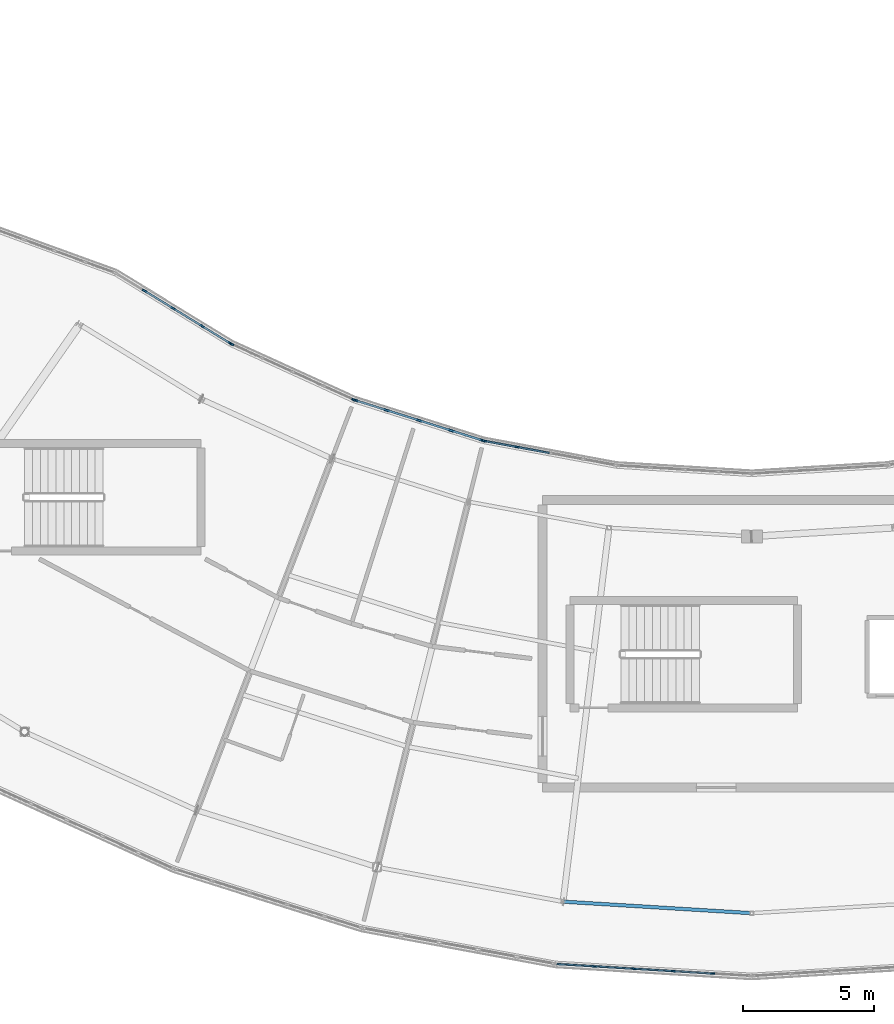
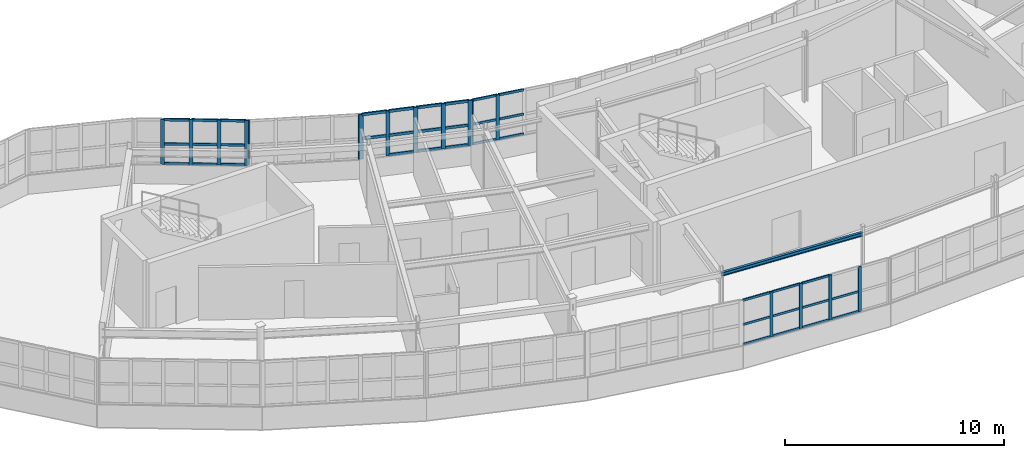
# One storey, part 18 of 65: 54 members, 1 beam, 5 elements without a shape of their own.
"""IFC4 building model written with IfcOpenShell, lengths in metres."""

from ifc_helpers import new_model, si_unit, direction, frame, origin, origin_2d, place, context, subcontext, project, spatial, rectangle, i_section, extrude, material, layer, layer_set, material_profile, profile_set, type_object, element, aggregate, save


model = new_model("IFC4")

# Units and contexts
model_context = context("Model", 3, precision=1e-05, world=origin(), true_north=direction((0.0, 1.0)))
body_context = subcontext(model_context, "Body", "Model", "MODEL_VIEW")
ifc_project = project(units=[si_unit("LENGTHUNIT", "METRE"), si_unit("AREAUNIT", "SQUARE_METRE"), si_unit("VOLUMEUNIT", "CUBIC_METRE"), si_unit("PLANEANGLEUNIT", "RADIAN"), si_unit("MASSUNIT", "GRAM", prefix="KILO")], contexts=[model_context])

# Site, building, storey
site_placement = place(None, origin())
site = spatial("IfcSite", under=ifc_project, at=site_placement, CompositionType="ELEMENT")
building_placement = place(site_placement, origin())
building = spatial("IfcBuilding", under=site, at=building_placement, Name="Tarnwether General Hospital", CompositionType="ELEMENT")
storey_placement = place(building_placement, frame((0.0, 0.0, 22.199951171875)))
storey = spatial("IfcBuildingStorey", under=building, at=storey_placement, Name="L05", CompositionType="ELEMENT", Elevation=22.199951171875)

# Beam
ifc_material_1 = material(Name="Steel Grade 350 (350 MPa)", Category="steel")
ifc_material_profile_1 = material_profile(ifc_material_1, i_section(OverallWidth=0.133056640625, OverallDepth=0.202880859375, WebThickness=0.005859375, FlangeThickness=0.0078125, at=origin_2d()), Name="200UB25.4")
ifc_profile_set_1 = profile_set([ifc_material_profile_1], Name="Steel Grade 350 (350 MPa)")
beam_type = type_object("IfcBeamType", Name="BM-SP5", PredefinedType="SPANDREL", material=ifc_profile_set_1)
beam_placement = place(storey_placement, frame((84.784912109375, 4.240966796875, 3.45849609375), z_axis=(0.998137964221, -0.060996757127, 0.0), x_axis=(0.060996757127, 0.998137964221, 0.0)))
element("IfcBeam", 1, at=beam_placement, inside=storey, type_object=beam_type, Name="Curved Ward SE Outer Spandrel BMG-L05-8478_424-9200_380-2182", PredefinedType="SPANDREL", context=body_context, shape_type="SweptSolid", body=[
    extrude(i_section(OverallWidth=0.133056640625, OverallDepth=0.202880859375, WebThickness=0.005859375, FlangeThickness=0.0078125, at=origin_2d()), origin(), (0.0, 0.0, 1.0), 7.228515625),
])

# Curtain wall, members
ifc_material_2 = material(Name="Anodised aluminium", Category="aluminium")
ifc_layer_1 = layer(ifc_material_2, 0.159912109375)
ifc_layer_set_1 = layer_set([ifc_layer_1], Name="Anodised aluminium")
curtain_wall_type_1 = type_object("IfcCurtainWallType", Name="CW-10", PredefinedType="NOTDEFINED", material=ifc_layer_set_1)
curtain_wall_1_placement = place(storey_placement, origin())
curtain_wall_1 = element("IfcCurtainWall", 2, at=curtain_wall_1_placement, inside=storey, type_object=curtain_wall_type_1, Name="Curtain Wall CWG-L05-920_14-0222", PredefinedType="NOTDEFINED")
ifc_material_3 = material(Name="Anodised aluminium", Category="aluminium")
ifc_material_profile_2 = material_profile(ifc_material_3, rectangle(XDim=0.06005859375, YDim=0.159912109375, at=origin_2d()), Name="ALU-MUL-60x160")
ifc_profile_set_2 = profile_set([ifc_material_profile_2], Name="Anodised aluminium")
member_type_1 = type_object("IfcMemberType", Name="CW-ML1", PredefinedType="MULLION", material=ifc_profile_set_2)
member_1_placement = place(storey_placement, frame((90.49853515625, 1.49169921875, 1.050048828125), z_axis=(0.0, 0.0, 1.0), x_axis=(-0.061028962567, -0.998135995608, 0.0)))
member_1 = element("IfcMember", 3, at=member_1_placement, type_object=member_type_1, Name="CW-10 mullion 2", PredefinedType="MULLION", context=body_context, shape_type="SweptSolid", body=[
    extrude(rectangle(XDim=0.06005859375, YDim=0.159912109375, at=origin_2d()), origin(), (0.0, 0.0, 1.0), 2.510009765625),
])
member_2_placement = place(storey_placement, frame((88.997314453125, 1.58349609375, 1.050048828125), z_axis=(0.0, 0.0, 1.0), x_axis=(-0.061028962567, -0.998135995608, 0.0)))
member_2 = element("IfcMember", 4, at=member_2_placement, type_object=member_type_1, Name="CW-10 mullion 3", PredefinedType="MULLION", context=body_context, shape_type="SweptSolid", body=[
    extrude(rectangle(XDim=0.06005859375, YDim=0.159912109375, at=origin_2d()), origin(), (0.0, 0.0, 1.0), 2.510009765625),
])
member_3_placement = place(storey_placement, frame((87.495849609375, 1.67529296875, 1.050048828125), z_axis=(0.0, 0.0, 1.0), x_axis=(-0.061028962567, -0.998135995608, 0.0)))
member_3 = element("IfcMember", 5, at=member_3_placement, type_object=member_type_1, Name="CW-10 mullion 4", PredefinedType="MULLION", context=body_context, shape_type="SweptSolid", body=[
    extrude(rectangle(XDim=0.06005859375, YDim=0.159912109375, at=origin_2d()), origin(), (0.0, 0.0, 1.0), 2.510009765625),
])
member_4_placement = place(storey_placement, frame((85.994384765625, 1.76708984375, 1.050048828125), z_axis=(0.0, 0.0, 1.0), x_axis=(-0.061028962567, -0.998135995608, 0.0)))
member_4 = element("IfcMember", 6, at=member_4_placement, type_object=member_type_1, Name="CW-10 mullion 5", PredefinedType="MULLION", context=body_context, shape_type="SweptSolid", body=[
    extrude(rectangle(XDim=0.06005859375, YDim=0.159912109375, at=origin_2d()), origin(), (0.0, 0.0, 1.0), 2.510009765625),
])

ifc_material_4 = material(Name="Anodised aluminium", Category="aluminium")
ifc_layer_2 = layer(ifc_material_4, 0.159912109375)
ifc_layer_set_2 = layer_set([ifc_layer_2], Name="Anodised aluminium")
curtain_wall_type_2 = type_object("IfcCurtainWallType", Name="CW-04", PredefinedType="NOTDEFINED", material=ifc_layer_set_2)
curtain_wall_2_placement = place(storey_placement, origin())
curtain_wall_2 = element("IfcCurtainWall", 7, at=curtain_wall_2_placement, inside=storey, type_object=curtain_wall_type_2, Name="Curtain Wall CWG-L05-721_256-0237", PredefinedType="NOTDEFINED")
member_5_placement = place(storey_placement, frame((72.121337890625, 25.550537109375, 1.050048828125), z_axis=(0.0, 0.0, 1.0), x_axis=(0.41470501572, 0.90995590549, 0.0)))
member_5 = element("IfcMember", 8, at=member_5_placement, type_object=member_type_1, Name="CW-04 mullion 1", PredefinedType="MULLION", context=body_context, shape_type="SweptSolid", body=[
    extrude(rectangle(XDim=0.06005859375, YDim=0.159912109375, at=origin_2d()), origin(), (0.0, 0.0, 1.0), 2.510009765625),
])
member_6_placement = place(storey_placement, frame((76.777587890625, 23.428466796875, 1.050048828125), z_axis=(0.0, 0.0, 1.0), x_axis=(0.41470501572, 0.90995590549, 0.0)))
member_6 = element("IfcMember", 9, at=member_6_placement, type_object=member_type_1, Name="CW-04 mullion 5", PredefinedType="MULLION", context=body_context, shape_type="SweptSolid", body=[
    extrude(rectangle(XDim=0.06005859375, YDim=0.159912109375, at=origin_2d()), origin(), (0.0, 0.0, 1.0), 2.510009765625),
])
aggregate(curtain_wall_2, [member_5, member_6])

curtain_wall_3_placement = place(storey_placement, origin())
curtain_wall_3 = element("IfcCurtainWall", 10, at=curtain_wall_3_placement, inside=storey, type_object=curtain_wall_type_2, Name="Curtain Wall CWG-L05-677_283-0238", PredefinedType="NOTDEFINED")
ifc_material_5 = material(Name="Anodised aluminium", Category="aluminium")
ifc_material_profile_3 = material_profile(ifc_material_5, rectangle(XDim=0.070068359375, YDim=0.179931640625, at=origin_2d()), Name="ALU-MUL-70x180")
ifc_profile_set_3 = profile_set([ifc_material_profile_3], Name="Anodised aluminium")
member_type_2 = type_object("IfcMemberType", Name="CW-ML2", PredefinedType="MULLION", material=ifc_profile_set_3)
member_7_placement = place(storey_placement, frame((68.783447265625, 27.591796875, 1.050048828125), z_axis=(0.0, 0.0, 1.0), x_axis=(0.522512231483, 0.852631789198, 0.0)))
member_7 = element("IfcMember", 11, at=member_7_placement, type_object=member_type_2, Name="CW-04 mullion 2", PredefinedType="MULLION", context=body_context, shape_type="SweptSolid", body=[
    extrude(rectangle(XDim=0.070068359375, YDim=0.179931640625, at=origin_2d()), origin(), (0.0, 0.0, 1.0), 2.510009765625),
])
member_8_placement = place(storey_placement, frame((69.886962890625, 26.91552734375, 1.050048828125), z_axis=(0.0, 0.0, 1.0), x_axis=(0.522512231483, 0.852631789198, 0.0)))
member_8 = element("IfcMember", 12, at=member_8_placement, type_object=member_type_2, Name="CW-04 mullion 3", PredefinedType="MULLION", context=body_context, shape_type="SweptSolid", body=[
    extrude(rectangle(XDim=0.070068359375, YDim=0.179931640625, at=origin_2d()), origin(), (0.0, 0.0, 1.0), 2.510009765625),
])
member_9_placement = place(storey_placement, frame((70.990478515625, 26.2392578125, 1.050048828125), z_axis=(0.0, 0.0, 1.0), x_axis=(0.522512231483, 0.852631789198, 0.0)))
member_9 = element("IfcMember", 13, at=member_9_placement, type_object=member_type_2, Name="CW-04 mullion 4", PredefinedType="MULLION", context=body_context, shape_type="SweptSolid", body=[
    extrude(rectangle(XDim=0.070068359375, YDim=0.179931640625, at=origin_2d()), origin(), (0.0, 0.0, 1.0), 2.510009765625),
])
member_10_placement = place(storey_placement, frame((72.064208984375, 25.581298828125, 1.050048828125), z_axis=(0.0, 0.0, 1.0), x_axis=(0.522512231483, 0.852631789198, 0.0)))
member_10 = element("IfcMember", 14, at=member_10_placement, type_object=member_type_2, Name="CW-04 mullion 5", PredefinedType="MULLION", context=body_context, shape_type="SweptSolid", body=[
    extrude(rectangle(XDim=0.070068359375, YDim=0.179931640625, at=origin_2d()), origin(), (0.0, 0.0, 1.0), 2.510009765625),
])

curtain_wall_4_placement = place(storey_placement, origin())
curtain_wall_4 = element("IfcCurtainWall", 15, at=curtain_wall_4_placement, inside=storey, type_object=curtain_wall_type_2, Name="Curtain Wall CWG-L05-817_219-0235", PredefinedType="NOTDEFINED")
ifc_material_6 = material(Name="Anodised aluminium", Category="aluminium")
ifc_material_profile_4 = material_profile(ifc_material_6, rectangle(XDim=0.06494140625, YDim=0.169921875, at=origin_2d()), Name="ALU-MUL-65x170")
ifc_profile_set_4 = profile_set([ifc_material_profile_4], Name="Anodised aluminium")
member_type_3 = type_object("IfcMemberType", Name="CW-ML3", PredefinedType="MULLION", material=ifc_profile_set_4)
member_11_placement = place(storey_placement, frame((81.77490234375, 21.85302734375, 1.050048828125), z_axis=(0.0, 0.0, 1.0), x_axis=(0.182165351666, 0.983267910924, 0.0)))
member_11 = element("IfcMember", 16, at=member_11_placement, type_object=member_type_3, Name="CW-04 mullion 1", PredefinedType="MULLION", context=body_context, shape_type="SweptSolid", body=[
    extrude(rectangle(XDim=0.06494140625, YDim=0.169921875, at=origin_2d()), origin(), (0.0, 0.0, 1.0), 2.510009765625),
])
member_12_placement = place(storey_placement, frame((83.015380859375, 21.623291015625, 1.050048828125), z_axis=(0.0, 0.0, 1.0), x_axis=(0.182165351666, 0.983267910924, 0.0)))
member_12 = element("IfcMember", 17, at=member_12_placement, type_object=member_type_3, Name="CW-04 mullion 2", PredefinedType="MULLION", context=body_context, shape_type="SweptSolid", body=[
    extrude(rectangle(XDim=0.06494140625, YDim=0.169921875, at=origin_2d()), origin(), (0.0, 0.0, 1.0), 2.510009765625),
])

curtain_wall_5_placement = place(storey_placement, origin())
curtain_wall_5 = element("IfcCurtainWall", 18, at=curtain_wall_5_placement, inside=storey, type_object=curtain_wall_type_2, Name="Curtain Wall CWG-L05-768_234-0236", PredefinedType="NOTDEFINED")
ifc_material_7 = material(Name="Anodised aluminium", Category="aluminium")
ifc_material_profile_5 = material_profile(ifc_material_7, rectangle(XDim=0.080078125, YDim=0.199951171875, at=origin_2d()), Name="ALU-MUL-80x200")
ifc_profile_set_5 = profile_set([ifc_material_profile_5], Name="Anodised aluminium")
member_type_4 = type_object("IfcMemberType", Name="CW-ML4", PredefinedType="MULLION", material=ifc_profile_set_5)
member_13_placement = place(storey_placement, frame((76.84326171875, 23.404052734375, 1.050048828125), z_axis=(0.0, 0.0, 1.0), x_axis=(0.30071538783, 0.953713927508, 0.0)))
member_13 = element("IfcMember", 19, at=member_13_placement, type_object=member_type_4, Name="CW-04 mullion 1", PredefinedType="MULLION", context=body_context, shape_type="SweptSolid", body=[
    extrude(rectangle(XDim=0.080078125, YDim=0.199951171875, at=origin_2d()), origin(), (0.0, 0.0, 1.0), 2.510009765625),
])
member_14_placement = place(storey_placement, frame((78.03955078125, 23.02685546875, 1.050048828125), z_axis=(0.0, 0.0, 1.0), x_axis=(0.30071538783, 0.953713927508, 0.0)))
member_14 = element("IfcMember", 20, at=member_14_placement, type_object=member_type_4, Name="CW-04 mullion 2", PredefinedType="MULLION", context=body_context, shape_type="SweptSolid", body=[
    extrude(rectangle(XDim=0.080078125, YDim=0.199951171875, at=origin_2d()), origin(), (0.0, 0.0, 1.0), 2.510009765625),
])
member_15_placement = place(storey_placement, frame((79.27392578125, 22.637451171875, 1.050048828125), z_axis=(0.0, 0.0, 1.0), x_axis=(0.30071538783, 0.953713927508, 0.0)))
member_15 = element("IfcMember", 21, at=member_15_placement, type_object=member_type_4, Name="CW-04 mullion 3", PredefinedType="MULLION", context=body_context, shape_type="SweptSolid", body=[
    extrude(rectangle(XDim=0.080078125, YDim=0.199951171875, at=origin_2d()), origin(), (0.0, 0.0, 1.0), 2.510009765625),
])
member_16_placement = place(storey_placement, frame((80.508544921875, 22.248291015625, 1.050048828125), z_axis=(0.0, 0.0, 1.0), x_axis=(0.30071538783, 0.953713927508, 0.0)))
member_16 = element("IfcMember", 22, at=member_16_placement, type_object=member_type_4, Name="CW-04 mullion 4", PredefinedType="MULLION", context=body_context, shape_type="SweptSolid", body=[
    extrude(rectangle(XDim=0.080078125, YDim=0.199951171875, at=origin_2d()), origin(), (0.0, 0.0, 1.0), 2.510009765625),
])
member_17_placement = place(storey_placement, frame((81.704833984375, 21.87109375, 1.050048828125), z_axis=(0.0, 0.0, 1.0), x_axis=(0.30071538783, 0.953713927508, 0.0)))
member_17 = element("IfcMember", 23, at=member_17_placement, type_object=member_type_4, Name="CW-04 mullion 5", PredefinedType="MULLION", context=body_context, shape_type="SweptSolid", body=[
    extrude(rectangle(XDim=0.080078125, YDim=0.199951171875, at=origin_2d()), origin(), (0.0, 0.0, 1.0), 2.510009765625),
])

# Member
ifc_material_8 = material(Name="Anodised aluminium", Category="aluminium")
ifc_material_profile_6 = material_profile(ifc_material_8, rectangle(XDim=0.06005859375, YDim=0.1201171875, at=origin_2d()), Name="ALU-TRN-60x120")
ifc_profile_set_6 = profile_set([ifc_material_profile_6], Name="Anodised aluminium")
member_type_5 = type_object("IfcMemberType", Name="CW-TR1", PredefinedType="USERDEFINED", material=ifc_profile_set_6)
member_18_placement = place(storey_placement, frame((90.46875, 1.49365234375, 1.080078125), z_axis=(-0.998136500325, 0.061020707302, 0.0), x_axis=(-0.061020707302, -0.998136500325, 0.0)))
member_18 = element("IfcMember", 24, at=member_18_placement, type_object=member_type_5, Name="CW-10 transom 2.1", ObjectType="TRANSOM", PredefinedType="USERDEFINED", context=body_context, shape_type="SweptSolid", body=[
    extrude(rectangle(XDim=0.06005859375, YDim=0.1201171875, at=origin_2d()), origin(), (0.0, 0.0, 1.0), 1.4443359375),
])

member_19_placement = place(storey_placement, frame((90.46875, 1.49365234375, 2.179443359375), z_axis=(-0.998136500325, 0.061020707302, 0.0), x_axis=(-0.061020707302, -0.998136500325, 0.0)))
member_19 = element("IfcMember", 25, at=member_19_placement, type_object=member_type_5, Name="CW-10 transom 2.2", ObjectType="TRANSOM", PredefinedType="USERDEFINED", context=body_context, shape_type="SweptSolid", body=[
    extrude(rectangle(XDim=0.06005859375, YDim=0.1201171875, at=origin_2d()), origin(), (0.0, 0.0, 1.0), 1.4443359375),
])

member_20_placement = place(storey_placement, frame((88.96728515625, 1.58544921875, 1.080078125), z_axis=(-0.998136500325, 0.061020707302, 0.0), x_axis=(-0.061020707302, -0.998136500325, 0.0)))
member_20 = element("IfcMember", 26, at=member_20_placement, type_object=member_type_5, Name="CW-10 transom 3.1", ObjectType="TRANSOM", PredefinedType="USERDEFINED", context=body_context, shape_type="SweptSolid", body=[
    extrude(rectangle(XDim=0.06005859375, YDim=0.1201171875, at=origin_2d()), origin(), (0.0, 0.0, 1.0), 1.4443359375),
])

member_21_placement = place(storey_placement, frame((88.96728515625, 1.58544921875, 2.179443359375), z_axis=(-0.998136500325, 0.061020707302, 0.0), x_axis=(-0.061020707302, -0.998136500325, 0.0)))
member_21 = element("IfcMember", 27, at=member_21_placement, type_object=member_type_5, Name="CW-10 transom 3.2", ObjectType="TRANSOM", PredefinedType="USERDEFINED", context=body_context, shape_type="SweptSolid", body=[
    extrude(rectangle(XDim=0.06005859375, YDim=0.1201171875, at=origin_2d()), origin(), (0.0, 0.0, 1.0), 1.4443359375),
])

member_22_placement = place(storey_placement, frame((88.96728515625, 1.58544921875, 3.530029296875), z_axis=(-0.998136500325, 0.061020707302, 0.0), x_axis=(-0.061020707302, -0.998136500325, 0.0)))
member_22 = element("IfcMember", 28, at=member_22_placement, type_object=member_type_5, Name="CW-10 transom 3.3", ObjectType="TRANSOM", PredefinedType="USERDEFINED", context=body_context, shape_type="SweptSolid", body=[
    extrude(rectangle(XDim=0.06005859375, YDim=0.1201171875, at=origin_2d()), origin(), (0.0, 0.0, 1.0), 1.4443359375),
])

member_23_placement = place(storey_placement, frame((87.4658203125, 1.67724609375, 1.080078125), z_axis=(-0.998135870769, 0.061031004293, 0.0), x_axis=(-0.061031004293, -0.998135870769, 0.0)))
member_23 = element("IfcMember", 29, at=member_23_placement, type_object=member_type_5, Name="CW-10 transom 4.1", ObjectType="TRANSOM", PredefinedType="USERDEFINED", context=body_context, shape_type="SweptSolid", body=[
    extrude(rectangle(XDim=0.06005859375, YDim=0.1201171875, at=origin_2d()), origin(), (0.0, 0.0, 1.0), 1.444091796875),
])

member_24_placement = place(storey_placement, frame((87.4658203125, 1.67724609375, 2.179443359375), z_axis=(-0.998135870769, 0.061031004293, 0.0), x_axis=(-0.061031004293, -0.998135870769, 0.0)))
member_24 = element("IfcMember", 30, at=member_24_placement, type_object=member_type_5, Name="CW-10 transom 4.2", ObjectType="TRANSOM", PredefinedType="USERDEFINED", context=body_context, shape_type="SweptSolid", body=[
    extrude(rectangle(XDim=0.06005859375, YDim=0.1201171875, at=origin_2d()), origin(), (0.0, 0.0, 1.0), 1.444091796875),
])

member_25_placement = place(storey_placement, frame((87.4658203125, 1.67724609375, 3.530029296875), z_axis=(-0.998135870769, 0.061031004293, 0.0), x_axis=(-0.061031004293, -0.998135870769, 0.0)))
member_25 = element("IfcMember", 31, at=member_25_placement, type_object=member_type_5, Name="CW-10 transom 4.3", ObjectType="TRANSOM", PredefinedType="USERDEFINED", context=body_context, shape_type="SweptSolid", body=[
    extrude(rectangle(XDim=0.06005859375, YDim=0.1201171875, at=origin_2d()), origin(), (0.0, 0.0, 1.0), 1.444091796875),
])

member_26_placement = place(storey_placement, frame((85.96435546875, 1.76904296875, 1.080078125), z_axis=(-0.998140907193, 0.060948579872, 0.0), x_axis=(-0.060948579872, -0.998140907193, 0.0)))
member_26 = element("IfcMember", 32, at=member_26_placement, type_object=member_type_5, Name="CW-10 transom 5.1", ObjectType="TRANSOM", PredefinedType="USERDEFINED", context=body_context, shape_type="SweptSolid", body=[
    extrude(rectangle(XDim=0.06005859375, YDim=0.1201171875, at=origin_2d()), origin(), (0.0, 0.0, 1.0), 1.4140625),
])

member_27_placement = place(storey_placement, frame((85.96435546875, 1.76904296875, 2.179443359375), z_axis=(-0.998140907193, 0.060948579872, 0.0), x_axis=(-0.060948579872, -0.998140907193, 0.0)))
member_27 = element("IfcMember", 33, at=member_27_placement, type_object=member_type_5, Name="CW-10 transom 5.2", ObjectType="TRANSOM", PredefinedType="USERDEFINED", context=body_context, shape_type="SweptSolid", body=[
    extrude(rectangle(XDim=0.06005859375, YDim=0.1201171875, at=origin_2d()), origin(), (0.0, 0.0, 1.0), 1.4140625),
])

member_28_placement = place(storey_placement, frame((85.96435546875, 1.76904296875, 3.530029296875), z_axis=(-0.998140907193, 0.060948579872, 0.0), x_axis=(-0.060948579872, -0.998140907193, 0.0)))
member_28 = element("IfcMember", 34, at=member_28_placement, type_object=member_type_5, Name="CW-10 transom 5.3", ObjectType="TRANSOM", PredefinedType="USERDEFINED", context=body_context, shape_type="SweptSolid", body=[
    extrude(rectangle(XDim=0.06005859375, YDim=0.1201171875, at=origin_2d()), origin(), (0.0, 0.0, 1.0), 1.4140625),
])

aggregate(curtain_wall_1, [member_1, member_2, member_3, member_4, member_18, member_19, member_20, member_21, member_22, member_23, member_24, member_25, member_26, member_27, member_28])

ifc_material_9 = material(Name="Anodised aluminium", Category="aluminium")
ifc_material_profile_7 = material_profile(ifc_material_9, rectangle(XDim=0.070068359375, YDim=0.139892578125, at=origin_2d()), Name="ALU-TRN-70x140")
ifc_profile_set_7 = profile_set([ifc_material_profile_7], Name="Anodised aluminium")
member_type_6 = type_object("IfcMemberType", Name="CW-TR2", PredefinedType="USERDEFINED", material=ifc_profile_set_7)
member_29_placement = place(storey_placement, frame((68.813232421875, 27.573486328125, 1.0849609375), z_axis=(0.852670027324, -0.522449829651, 0.0), x_axis=(0.522449829651, 0.852670027324, 0.0)))
member_29 = element("IfcMember", 35, at=member_29_placement, type_object=member_type_6, Name="CW-04 transom 2.1", ObjectType="TRANSOM", PredefinedType="USERDEFINED", context=body_context, shape_type="SweptSolid", body=[
    extrude(rectangle(XDim=0.070068359375, YDim=0.139892578125, at=origin_2d()), origin(), (0.0, 0.0, 1.0), 1.224365234375),
])

member_30_placement = place(storey_placement, frame((68.813232421875, 27.573486328125, 2.179443359375), z_axis=(0.852670027324, -0.522449829651, 0.0), x_axis=(0.522449829651, 0.852670027324, 0.0)))
member_30 = element("IfcMember", 36, at=member_30_placement, type_object=member_type_6, Name="CW-04 transom 2.2", ObjectType="TRANSOM", PredefinedType="USERDEFINED", context=body_context, shape_type="SweptSolid", body=[
    extrude(rectangle(XDim=0.070068359375, YDim=0.139892578125, at=origin_2d()), origin(), (0.0, 0.0, 1.0), 1.224365234375),
])

member_31_placement = place(storey_placement, frame((68.813232421875, 27.573486328125, 3.525146484375), z_axis=(0.852670027324, -0.522449829651, 0.0), x_axis=(0.522449829651, 0.852670027324, 0.0)))
member_31 = element("IfcMember", 37, at=member_31_placement, type_object=member_type_6, Name="CW-04 transom 2.3", ObjectType="TRANSOM", PredefinedType="USERDEFINED", context=body_context, shape_type="SweptSolid", body=[
    extrude(rectangle(XDim=0.070068359375, YDim=0.139892578125, at=origin_2d()), origin(), (0.0, 0.0, 1.0), 1.224365234375),
])

member_32_placement = place(storey_placement, frame((69.916748046875, 26.897216796875, 1.0849609375), z_axis=(0.852670027324, -0.522449829651, 0.0), x_axis=(0.522449829651, 0.852670027324, 0.0)))
member_32 = element("IfcMember", 38, at=member_32_placement, type_object=member_type_6, Name="CW-04 transom 3.1", ObjectType="TRANSOM", PredefinedType="USERDEFINED", context=body_context, shape_type="SweptSolid", body=[
    extrude(rectangle(XDim=0.070068359375, YDim=0.139892578125, at=origin_2d()), origin(), (0.0, 0.0, 1.0), 1.224365234375),
])

member_33_placement = place(storey_placement, frame((69.916748046875, 26.897216796875, 2.179443359375), z_axis=(0.852670027324, -0.522449829651, 0.0), x_axis=(0.522449829651, 0.852670027324, 0.0)))
member_33 = element("IfcMember", 39, at=member_33_placement, type_object=member_type_6, Name="CW-04 transom 3.2", ObjectType="TRANSOM", PredefinedType="USERDEFINED", context=body_context, shape_type="SweptSolid", body=[
    extrude(rectangle(XDim=0.070068359375, YDim=0.139892578125, at=origin_2d()), origin(), (0.0, 0.0, 1.0), 1.224365234375),
])

member_34_placement = place(storey_placement, frame((69.916748046875, 26.897216796875, 3.525146484375), z_axis=(0.852670027324, -0.522449829651, 0.0), x_axis=(0.522449829651, 0.852670027324, 0.0)))
member_34 = element("IfcMember", 40, at=member_34_placement, type_object=member_type_6, Name="CW-04 transom 3.3", ObjectType="TRANSOM", PredefinedType="USERDEFINED", context=body_context, shape_type="SweptSolid", body=[
    extrude(rectangle(XDim=0.070068359375, YDim=0.139892578125, at=origin_2d()), origin(), (0.0, 0.0, 1.0), 1.224365234375),
])

member_35_placement = place(storey_placement, frame((71.020263671875, 26.220947265625, 1.0849609375), z_axis=(0.852692694866, -0.522412833037, 0.0), x_axis=(0.522412833037, 0.852692694866, 0.0)))
member_35 = element("IfcMember", 41, at=member_35_placement, type_object=member_type_6, Name="CW-04 transom 4.1", ObjectType="TRANSOM", PredefinedType="USERDEFINED", context=body_context, shape_type="SweptSolid", body=[
    extrude(rectangle(XDim=0.070068359375, YDim=0.139892578125, at=origin_2d()), origin(), (0.0, 0.0, 1.0), 1.189453125),
])

member_36_placement = place(storey_placement, frame((71.020263671875, 26.220947265625, 2.179443359375), z_axis=(0.852692694866, -0.522412833037, 0.0), x_axis=(0.522412833037, 0.852692694866, 0.0)))
member_36 = element("IfcMember", 42, at=member_36_placement, type_object=member_type_6, Name="CW-04 transom 4.2", ObjectType="TRANSOM", PredefinedType="USERDEFINED", context=body_context, shape_type="SweptSolid", body=[
    extrude(rectangle(XDim=0.070068359375, YDim=0.139892578125, at=origin_2d()), origin(), (0.0, 0.0, 1.0), 1.189453125),
])

member_37_placement = place(storey_placement, frame((71.020263671875, 26.220947265625, 3.525146484375), z_axis=(0.852692694866, -0.522412833037, 0.0), x_axis=(0.522412833037, 0.852692694866, 0.0)))
member_37 = element("IfcMember", 43, at=member_37_placement, type_object=member_type_6, Name="CW-04 transom 4.3", ObjectType="TRANSOM", PredefinedType="USERDEFINED", context=body_context, shape_type="SweptSolid", body=[
    extrude(rectangle(XDim=0.070068359375, YDim=0.139892578125, at=origin_2d()), origin(), (0.0, 0.0, 1.0), 1.189453125),
])

aggregate(curtain_wall_3, [member_7, member_8, member_9, member_10, member_29, member_30, member_31, member_32, member_33, member_34, member_35, member_36, member_37])

ifc_material_10 = material(Name="Anodised aluminium", Category="aluminium")
ifc_material_profile_8 = material_profile(ifc_material_10, rectangle(XDim=0.06494140625, YDim=0.1298828125, at=origin_2d()), Name="ALU-TRN-65x130")
ifc_profile_set_8 = profile_set([ifc_material_profile_8], Name="Anodised aluminium")
member_type_7 = type_object("IfcMemberType", Name="CW-TR3", PredefinedType="USERDEFINED", material=ifc_profile_set_8)
member_38_placement = place(storey_placement, frame((81.806884765625, 21.84716796875, 1.08251953125), z_axis=(0.983267121259, -0.182169613959, 0.0), x_axis=(0.182169613959, 0.983267121259, 0.0)))
member_38 = element("IfcMember", 44, at=member_38_placement, type_object=member_type_7, Name="CW-04 transom 1.1", ObjectType="TRANSOM", PredefinedType="USERDEFINED", context=body_context, shape_type="SweptSolid", body=[
    extrude(rectangle(XDim=0.06494140625, YDim=0.1298828125, at=origin_2d()), origin(), (0.0, 0.0, 1.0), 1.19677734375),
])

member_39_placement = place(storey_placement, frame((81.806884765625, 21.84716796875, 2.179443359375), z_axis=(0.983267121259, -0.182169613959, 0.0), x_axis=(0.182169613959, 0.983267121259, 0.0)))
member_39 = element("IfcMember", 45, at=member_39_placement, type_object=member_type_7, Name="CW-04 transom 1.2", ObjectType="TRANSOM", PredefinedType="USERDEFINED", context=body_context, shape_type="SweptSolid", body=[
    extrude(rectangle(XDim=0.06494140625, YDim=0.1298828125, at=origin_2d()), origin(), (0.0, 0.0, 1.0), 1.19677734375),
])

member_40_placement = place(storey_placement, frame((81.806884765625, 21.84716796875, 3.527587890625), z_axis=(0.983267121259, -0.182169613959, 0.0), x_axis=(0.182169613959, 0.983267121259, 0.0)))
member_40 = element("IfcMember", 46, at=member_40_placement, type_object=member_type_7, Name="CW-04 transom 1.3", ObjectType="TRANSOM", PredefinedType="USERDEFINED", context=body_context, shape_type="SweptSolid", body=[
    extrude(rectangle(XDim=0.06494140625, YDim=0.1298828125, at=origin_2d()), origin(), (0.0, 0.0, 1.0), 1.19677734375),
])

member_41_placement = place(storey_placement, frame((83.04736328125, 21.617431640625, 1.08251953125), z_axis=(0.983241155151, -0.182309711256, 0.0), x_axis=(0.182309711256, 0.983241155151, 0.0)))
member_41 = element("IfcMember", 47, at=member_41_placement, type_object=member_type_7, Name="CW-04 transom 2.1", ObjectType="TRANSOM", PredefinedType="USERDEFINED", context=body_context, shape_type="SweptSolid", body=[
    extrude(rectangle(XDim=0.06494140625, YDim=0.1298828125, at=origin_2d()), origin(), (0.0, 0.0, 1.0), 1.229248046875),
])

member_42_placement = place(storey_placement, frame((83.04736328125, 21.617431640625, 2.179443359375), z_axis=(0.983241155151, -0.182309711256, 0.0), x_axis=(0.182309711256, 0.983241155151, 0.0)))
member_42 = element("IfcMember", 48, at=member_42_placement, type_object=member_type_7, Name="CW-04 transom 2.2", ObjectType="TRANSOM", PredefinedType="USERDEFINED", context=body_context, shape_type="SweptSolid", body=[
    extrude(rectangle(XDim=0.06494140625, YDim=0.1298828125, at=origin_2d()), origin(), (0.0, 0.0, 1.0), 1.229248046875),
])

member_43_placement = place(storey_placement, frame((83.04736328125, 21.617431640625, 3.527587890625), z_axis=(0.983241155151, -0.182309711256, 0.0), x_axis=(0.182309711256, 0.983241155151, 0.0)))
member_43 = element("IfcMember", 49, at=member_43_placement, type_object=member_type_7, Name="CW-04 transom 2.3", ObjectType="TRANSOM", PredefinedType="USERDEFINED", context=body_context, shape_type="SweptSolid", body=[
    extrude(rectangle(XDim=0.06494140625, YDim=0.1298828125, at=origin_2d()), origin(), (0.0, 0.0, 1.0), 1.229248046875),
])

aggregate(curtain_wall_4, [member_11, member_12, member_38, member_39, member_40, member_41, member_42, member_43])

ifc_material_11 = material(Name="Anodised aluminium", Category="aluminium")
ifc_material_profile_9 = material_profile(ifc_material_11, rectangle(XDim=0.080078125, YDim=0.14990234375, at=origin_2d()), Name="ALU-TRN-80x150")
ifc_profile_set_9 = profile_set([ifc_material_profile_9], Name="Anodised aluminium")
member_type_8 = type_object("IfcMemberType", Name="CW-TR4", PredefinedType="USERDEFINED", material=ifc_profile_set_9)
member_44_placement = place(storey_placement, frame((76.88134765625, 23.391845703125, 2.179443359375), z_axis=(0.953752168784, -0.300594079351, 0.0), x_axis=(0.300594079351, 0.953752168784, 0.0)))
member_44 = element("IfcMember", 50, at=member_44_placement, type_object=member_type_8, Name="CW-04 transom 1.2", ObjectType="TRANSOM", PredefinedType="USERDEFINED", context=body_context, shape_type="SweptSolid", body=[
    extrude(rectangle(XDim=0.080078125, YDim=0.14990234375, at=origin_2d()), origin(), (0.0, 0.0, 1.0), 1.17431640625),
])

member_45_placement = place(storey_placement, frame((76.88134765625, 23.391845703125, 3.52001953125), z_axis=(0.953752168784, -0.300594079351, 0.0), x_axis=(0.300594079351, 0.953752168784, 0.0)))
member_45 = element("IfcMember", 51, at=member_45_placement, type_object=member_type_8, Name="CW-04 transom 1.3", ObjectType="TRANSOM", PredefinedType="USERDEFINED", context=body_context, shape_type="SweptSolid", body=[
    extrude(rectangle(XDim=0.080078125, YDim=0.14990234375, at=origin_2d()), origin(), (0.0, 0.0, 1.0), 1.17431640625),
])

member_46_placement = place(storey_placement, frame((78.07763671875, 23.0146484375, 1.090087890625), z_axis=(0.953704119214, -0.300746492905, 0.0), x_axis=(0.300746492905, 0.953704119214, 0.0)))
member_46 = element("IfcMember", 52, at=member_46_placement, type_object=member_type_8, Name="CW-04 transom 2.1", ObjectType="TRANSOM", PredefinedType="USERDEFINED", context=body_context, shape_type="SweptSolid", body=[
    extrude(rectangle(XDim=0.080078125, YDim=0.14990234375, at=origin_2d()), origin(), (0.0, 0.0, 1.0), 1.21435546875),
])

member_47_placement = place(storey_placement, frame((78.07763671875, 23.0146484375, 2.179443359375), z_axis=(0.953704119214, -0.300746492905, 0.0), x_axis=(0.300746492905, 0.953704119214, 0.0)))
member_47 = element("IfcMember", 53, at=member_47_placement, type_object=member_type_8, Name="CW-04 transom 2.2", ObjectType="TRANSOM", PredefinedType="USERDEFINED", context=body_context, shape_type="SweptSolid", body=[
    extrude(rectangle(XDim=0.080078125, YDim=0.14990234375, at=origin_2d()), origin(), (0.0, 0.0, 1.0), 1.21435546875),
])

member_48_placement = place(storey_placement, frame((78.07763671875, 23.0146484375, 3.52001953125), z_axis=(0.953704119214, -0.300746492905, 0.0), x_axis=(0.300746492905, 0.953704119214, 0.0)))
member_48 = element("IfcMember", 54, at=member_48_placement, type_object=member_type_8, Name="CW-04 transom 2.3", ObjectType="TRANSOM", PredefinedType="USERDEFINED", context=body_context, shape_type="SweptSolid", body=[
    extrude(rectangle(XDim=0.080078125, YDim=0.14990234375, at=origin_2d()), origin(), (0.0, 0.0, 1.0), 1.21435546875),
])

member_49_placement = place(storey_placement, frame((79.312255859375, 22.62548828125, 1.090087890625), z_axis=(0.953704119214, -0.300746492905, 0.0), x_axis=(0.300746492905, 0.953704119214, 0.0)))
member_49 = element("IfcMember", 55, at=member_49_placement, type_object=member_type_8, Name="CW-04 transom 3.1", ObjectType="TRANSOM", PredefinedType="USERDEFINED", context=body_context, shape_type="SweptSolid", body=[
    extrude(rectangle(XDim=0.080078125, YDim=0.14990234375, at=origin_2d()), origin(), (0.0, 0.0, 1.0), 1.21435546875),
])

member_50_placement = place(storey_placement, frame((79.312255859375, 22.62548828125, 2.179443359375), z_axis=(0.953704119214, -0.300746492905, 0.0), x_axis=(0.300746492905, 0.953704119214, 0.0)))
member_50 = element("IfcMember", 56, at=member_50_placement, type_object=member_type_8, Name="CW-04 transom 3.2", ObjectType="TRANSOM", PredefinedType="USERDEFINED", context=body_context, shape_type="SweptSolid", body=[
    extrude(rectangle(XDim=0.080078125, YDim=0.14990234375, at=origin_2d()), origin(), (0.0, 0.0, 1.0), 1.21435546875),
])

member_51_placement = place(storey_placement, frame((79.312255859375, 22.62548828125, 3.52001953125), z_axis=(0.953704119214, -0.300746492905, 0.0), x_axis=(0.300746492905, 0.953704119214, 0.0)))
member_51 = element("IfcMember", 57, at=member_51_placement, type_object=member_type_8, Name="CW-04 transom 3.3", ObjectType="TRANSOM", PredefinedType="USERDEFINED", context=body_context, shape_type="SweptSolid", body=[
    extrude(rectangle(XDim=0.080078125, YDim=0.14990234375, at=origin_2d()), origin(), (0.0, 0.0, 1.0), 1.21435546875),
])

member_52_placement = place(storey_placement, frame((80.546630859375, 22.236328125, 1.090087890625), z_axis=(0.953692556259, -0.300783158001, 0.0), x_axis=(0.300783158001, 0.953692556259, 0.0)))
member_52 = element("IfcMember", 58, at=member_52_placement, type_object=member_type_8, Name="CW-04 transom 4.1", ObjectType="TRANSOM", PredefinedType="USERDEFINED", context=body_context, shape_type="SweptSolid", body=[
    extrude(rectangle(XDim=0.080078125, YDim=0.14990234375, at=origin_2d()), origin(), (0.0, 0.0, 1.0), 1.174560546875),
])

member_53_placement = place(storey_placement, frame((80.546630859375, 22.236328125, 2.179443359375), z_axis=(0.953692556259, -0.300783158001, 0.0), x_axis=(0.300783158001, 0.953692556259, 0.0)))
member_53 = element("IfcMember", 59, at=member_53_placement, type_object=member_type_8, Name="CW-04 transom 4.2", ObjectType="TRANSOM", PredefinedType="USERDEFINED", context=body_context, shape_type="SweptSolid", body=[
    extrude(rectangle(XDim=0.080078125, YDim=0.14990234375, at=origin_2d()), origin(), (0.0, 0.0, 1.0), 1.174560546875),
])

member_54_placement = place(storey_placement, frame((80.546630859375, 22.236328125, 3.52001953125), z_axis=(0.953692556259, -0.300783158001, 0.0), x_axis=(0.300783158001, 0.953692556259, 0.0)))
member_54 = element("IfcMember", 60, at=member_54_placement, type_object=member_type_8, Name="CW-04 transom 4.3", ObjectType="TRANSOM", PredefinedType="USERDEFINED", context=body_context, shape_type="SweptSolid", body=[
    extrude(rectangle(XDim=0.080078125, YDim=0.14990234375, at=origin_2d()), origin(), (0.0, 0.0, 1.0), 1.174560546875),
])

aggregate(curtain_wall_5, [member_13, member_14, member_15, member_16, member_17, member_44, member_45, member_46, member_47, member_48, member_49, member_50, member_51, member_52, member_53, member_54])

save(model, "model.ifc")
